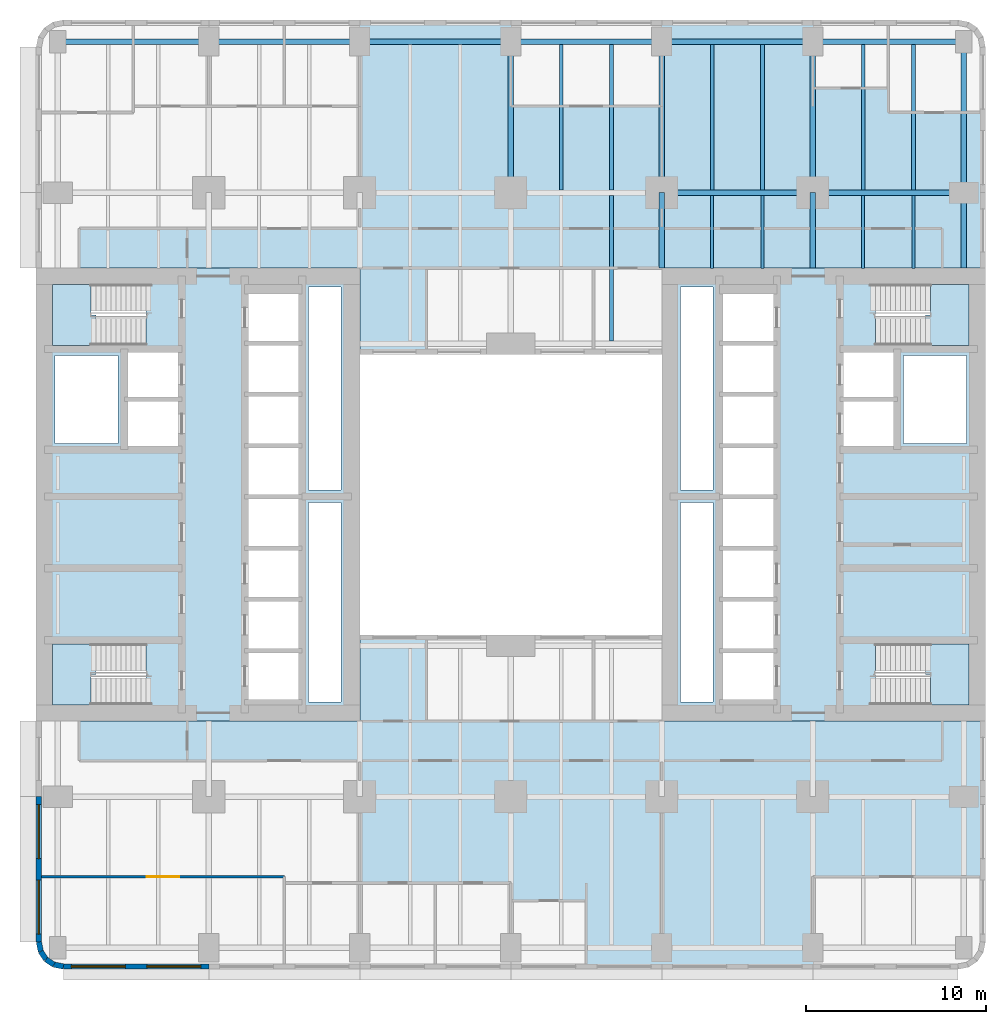
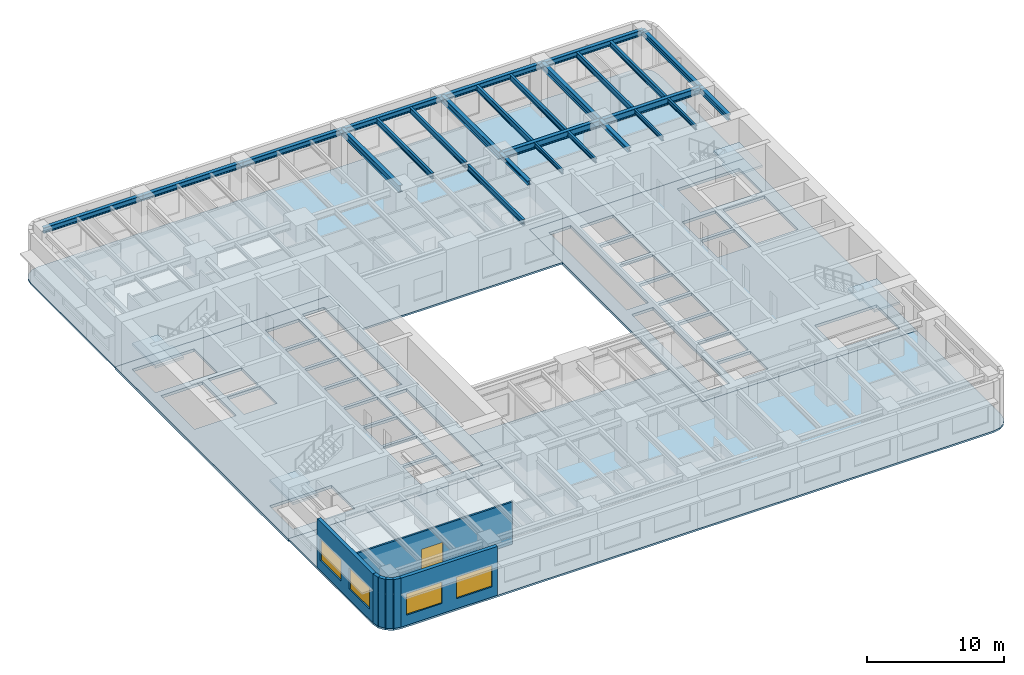
# One storey, part 2 of 12: 26 beams, 8 slabs, 7 walls, 4 windows, 1 door, 5 openings, 4 elements without a shape of their own.
"""IFC4 building model written with IfcOpenShell, lengths in metres."""

from ifc_helpers import new_model, si_unit, direction, frame, frame_2d, origin, origin_2d, place, context, subcontext, project, spatial, polyline, rectangle, i_section, outline, extrude, material, layer, layer_set, material_profile, profile_set, type_object, element, fill, aggregate, save


model = new_model("IFC4")

# Units and contexts
model_context = context("Model", 3, precision=1e-05, world=origin(), true_north=direction((0.0, 1.0)))
body_context = subcontext(model_context, "Body", "Model", "MODEL_VIEW")
ifc_project = project(units=[si_unit("LENGTHUNIT", "METRE"), si_unit("AREAUNIT", "SQUARE_METRE"), si_unit("VOLUMEUNIT", "CUBIC_METRE"), si_unit("PLANEANGLEUNIT", "RADIAN"), si_unit("MASSUNIT", "GRAM", prefix="KILO")], contexts=[model_context])

# Site, building, storey
site_placement = place(None, origin())
site = spatial("IfcSite", under=ifc_project, at=site_placement, CompositionType="ELEMENT")
building_placement = place(site_placement, origin())
building = spatial("IfcBuilding", under=site, at=building_placement, Name="Claustro Exchange Tower", CompositionType="ELEMENT")
storey_placement = place(building_placement, frame((0.0, 0.0, 81.89990234375)))
storey = spatial("IfcBuildingStorey", under=building, at=storey_placement, Name="L18", CompositionType="ELEMENT", Elevation=81.89990234375)

# Beams
ifc_material_1 = material(Name="Steel S355", Category="steel")
ifc_material_profile_1 = material_profile(ifc_material_1, i_section(OverallWidth=0.300048828125, OverallDepth=0.60009765625, WebThickness=0.015380859375, FlangeThickness=0.030029296875, FilletRadius=0.027099609375, at=origin_2d()), Name="HE 600 B")
ifc_profile_set_1 = profile_set([ifc_material_profile_1], Name="Steel S355")
beam_type_1 = type_object("IfcBeamType", Name="B1 HE 600 B floor girder", PredefinedType="BEAM", material=ifc_profile_set_1)
for number, where, z_axis, x_axis, name in (
    (1, (25.199951171875, 42.0, 4.0400390625), (0.0, 1.0, 0.0), (-1.0, 0.0, 0.0), "Beam B1 L19"),
    (2, (33.60009765625, 42.0, 4.0400390625), (0.0, 1.0, 0.0), (-1.0, 0.0, 0.0), "Beam B1 L19"),
    (3, (42.0, 42.0, 4.0400390625), (0.0, 1.0, 0.0), (-1.0, 0.0, 0.0), "Beam B1 L19"),
    (4, (33.60009765625, 42.0, 4.0400390625), (1.0, 0.0, 0.0), (0.0, 1.0, 0.0), "Beam B1 L19"),
    (5, (42.0, 42.0, 4.0400390625), (1.0, 0.0, 0.0), (0.0, 1.0, 0.0), "Beam B1 L19"),
):
    element("IfcBeam", number, at=place(storey_placement, frame(where, z_axis=z_axis, x_axis=x_axis)), inside=storey, type_object=beam_type_1, Name=name, PredefinedType="BEAM", context=body_context, shape_type="SweptSolid", body=[
        extrude(i_section(OverallWidth=0.300048828125, OverallDepth=0.60009765625, WebThickness=0.015380859375, FlangeThickness=0.030029296875, FilletRadius=0.027099609375, at=origin_2d()), origin(), (0.0, 0.0, 1.0), 8.39990234375),
    ])
ifc_material_2 = material(Name="Steel S355", Category="steel")
ifc_material_profile_2 = material_profile(ifc_material_2, i_section(OverallWidth=0.169921875, OverallDepth=0.360107421875, WebThickness=0.008056640625, FlangeThickness=0.0126953125, FilletRadius=0.01806640625, at=origin_2d()), Name="IPE 360")
ifc_profile_set_2 = profile_set([ifc_material_profile_2], Name="Steel S355")
beam_type_2 = type_object("IfcBeamType", Name="B16 IPE 360 short-span beam", PredefinedType="BEAM", material=ifc_profile_set_2)
for number, where, z_axis, x_axis, name in (
    (6, (36.39990234375, 37.7900390625, 4.16015625), (0.0, 1.0, 0.0), (-1.0, 0.0, 0.0), "Beam B16 L19"),
    (7, (39.199951171875, 37.7900390625, 4.16015625), (0.0, 1.0, 0.0), (-1.0, 0.0, 0.0), "Beam B16 L19"),
    (8, (44.800048828125, 37.7900390625, 4.16015625), (0.0, 1.0, 0.0), (-1.0, 0.0, 0.0), "Beam B16 L19"),
    (9, (47.60009765625, 37.7900390625, 4.16015625), (0.0, 1.0, 0.0), (-1.0, 0.0, 0.0), "Beam B16 L19"),
):
    element("IfcBeam", number, at=place(storey_placement, frame(where, z_axis=z_axis, x_axis=x_axis)), inside=storey, type_object=beam_type_2, Name=name, PredefinedType="BEAM", context=body_context, shape_type="SweptSolid", body=[
        extrude(i_section(OverallWidth=0.169921875, OverallDepth=0.360107421875, WebThickness=0.008056640625, FlangeThickness=0.0126953125, FilletRadius=0.01806640625, at=origin_2d()), origin(), (0.0, 0.0, 1.0), 4.06005859375),
    ])
ifc_material_3 = material(Name="Steel S355", Category="steel")
ifc_material_profile_3 = material_profile(ifc_material_3, i_section(OverallWidth=0.199951171875, OverallDepth=0.5, WebThickness=0.01025390625, FlangeThickness=0.01611328125, FilletRadius=0.02099609375, at=origin_2d()), Name="IPE 500")
ifc_profile_set_3 = profile_set([ifc_material_profile_3], Name="Steel S355")
beam_type_3 = type_object("IfcBeamType", Name="B2 IPE 500 secondary beam", PredefinedType="BEAM", material=ifc_profile_set_3)
for number, where, z_axis, x_axis, name in (
    (10, (30.800048828125, 33.75, 4.090087890625), (0.0, 1.0, 0.0), (-1.0, 0.0, 0.0), "Beam B2 L19"),
    (11, (28.0, 42.14990234375, 4.090087890625), (0.0, 1.0, 0.0), (-1.0, 0.0, 0.0), "Beam B2 L19"),
    (12, (30.800048828125, 42.14990234375, 4.090087890625), (0.0, 1.0, 0.0), (-1.0, 0.0, 0.0), "Beam B2 L19"),
    (13, (36.39990234375, 42.14990234375, 4.090087890625), (0.0, 1.0, 0.0), (-1.0, 0.0, 0.0), "Beam B2 L19"),
    (14, (39.199951171875, 42.14990234375, 4.090087890625), (0.0, 1.0, 0.0), (-1.0, 0.0, 0.0), "Beam B2 L19"),
    (15, (44.800048828125, 42.14990234375, 4.090087890625), (0.0, 1.0, 0.0), (-1.0, 0.0, 0.0), "Beam B2 L19"),
    (16, (47.60009765625, 42.14990234375, 4.090087890625), (0.0, 1.0, 0.0), (-1.0, 0.0, 0.0), "Beam B2 L19"),
):
    element("IfcBeam", number, at=place(storey_placement, frame(where, z_axis=z_axis, x_axis=x_axis)), inside=storey, type_object=beam_type_3, Name=name, PredefinedType="BEAM", context=body_context, shape_type="SweptSolid", body=[
        extrude(i_section(OverallWidth=0.199951171875, OverallDepth=0.5, WebThickness=0.01025390625, FlangeThickness=0.01611328125, FilletRadius=0.02099609375, at=origin_2d()), origin(), (0.0, 0.0, 1.0), 8.10009765625),
    ])
ifc_material_4 = material(Name="Steel S355", Category="steel")
ifc_material_profile_4 = material_profile(ifc_material_4, i_section(OverallWidth=0.300048828125, OverallDepth=0.360107421875, WebThickness=0.012451171875, FlangeThickness=0.0224609375, FilletRadius=0.027099609375, at=origin_2d()), Name="HE 360 B")
ifc_profile_set_4 = profile_set([ifc_material_profile_4], Name="Steel S355")
beam_type_4 = type_object("IfcBeamType", Name="B29 HE 360 B column to core link beam", PredefinedType="BEAM", material=ifc_profile_set_4)
for number, where, z_axis, x_axis, name in (
    (17, (33.60009765625, 37.800048828125, 4.16015625), (0.0, 1.0, 0.0), (-1.0, 0.0, 0.0), "Beam B29 L19"),
    (18, (42.0, 37.800048828125, 4.16015625), (0.0, 1.0, 0.0), (-1.0, 0.0, 0.0), "Beam B29 L19"),
):
    element("IfcBeam", number, at=place(storey_placement, frame(where, z_axis=z_axis, x_axis=x_axis)), inside=storey, type_object=beam_type_4, Name=name, PredefinedType="BEAM", context=body_context, shape_type="SweptSolid", body=[
        extrude(i_section(OverallWidth=0.300048828125, OverallDepth=0.360107421875, WebThickness=0.012451171875, FlangeThickness=0.0224609375, FilletRadius=0.027099609375, at=origin_2d()), origin(), (0.0, 0.0, 1.0), 4.199951171875),
    ])
ifc_material_5 = material(Name="Steel S355", Category="steel")
ifc_material_profile_5 = material_profile(ifc_material_5, i_section(OverallWidth=0.300048828125, OverallDepth=0.5, WebThickness=0.014404296875, FlangeThickness=0.028076171875, FilletRadius=0.027099609375, at=origin_2d()), Name="HE 500 B")
ifc_profile_set_5 = profile_set([ifc_material_profile_5], Name="Steel S355")
beam_type_5 = type_object("IfcBeamType", Name="B3 HE 500 B spandrel edge girder", PredefinedType="SPANDREL", material=ifc_profile_set_5)
beam_1_placement = place(storey_placement, frame((50.39990234375, 37.800048828125, 4.090087890625), z_axis=(0.0, 1.0, 0.0), x_axis=(-1.0, 0.0, 0.0)))
element("IfcBeam", 19, at=beam_1_placement, inside=storey, type_object=beam_type_5, Name="Beam B3 L19", PredefinedType="SPANDREL", context=body_context, shape_type="SweptSolid", body=[
    extrude(i_section(OverallWidth=0.300048828125, OverallDepth=0.5, WebThickness=0.014404296875, FlangeThickness=0.028076171875, FilletRadius=0.027099609375, at=origin_2d()), origin(), (0.0, 0.0, 1.0), 4.199951171875),
])
for number, where, z_axis, x_axis, name in (
    (20, (50.39990234375, 42.0, 4.090087890625), (0.0, 1.0, 0.0), (-1.0, 0.0, 0.0), "Beam B3 L19"),
    (21, (0.0, 50.39990234375, 4.090087890625), (1.0, 0.0, 0.0), (0.0, 1.0, 0.0), "Beam B3 L19"),
):
    element("IfcBeam", number, at=place(storey_placement, frame(where, z_axis=z_axis, x_axis=x_axis)), inside=storey, type_object=beam_type_5, Name=name, PredefinedType="SPANDREL", context=body_context, shape_type="SweptSolid", body=[
        extrude(i_section(OverallWidth=0.300048828125, OverallDepth=0.5, WebThickness=0.014404296875, FlangeThickness=0.028076171875, FilletRadius=0.027099609375, at=origin_2d()), origin(), (0.0, 0.0, 1.0), 8.39990234375),
    ])
beam_2_placement = place(storey_placement, frame((8.39990234375, 50.39990234375, 4.090087890625), z_axis=(1.0, 0.0, 0.0), x_axis=(0.0, 1.0, 0.0)))
element("IfcBeam", 22, at=beam_2_placement, inside=storey, type_object=beam_type_5, Name="Beam B3 L19", PredefinedType="SPANDREL", context=body_context, shape_type="SweptSolid", body=[
    extrude(i_section(OverallWidth=0.300048828125, OverallDepth=0.5, WebThickness=0.014404296875, FlangeThickness=0.028076171875, FilletRadius=0.027099609375, at=origin_2d()), origin(), (0.0, 0.0, 1.0), 8.400146484375),
])
beam_3_placement = place(storey_placement, frame((16.800048828125, 50.39990234375, 4.090087890625), z_axis=(1.0, 0.0, 0.0), x_axis=(0.0, 1.0, 0.0)))
element("IfcBeam", 23, at=beam_3_placement, inside=storey, type_object=beam_type_5, Name="Beam B3 L19", PredefinedType="SPANDREL", context=body_context, shape_type="SweptSolid", body=[
    extrude(i_section(OverallWidth=0.300048828125, OverallDepth=0.5, WebThickness=0.014404296875, FlangeThickness=0.028076171875, FilletRadius=0.027099609375, at=origin_2d()), origin(), (0.0, 0.0, 1.0), 8.39990234375),
])
beam_4_placement = place(storey_placement, frame((25.199951171875, 50.39990234375, 4.090087890625), z_axis=(1.0, 0.0, 0.0), x_axis=(0.0, 1.0, 0.0)))
element("IfcBeam", 24, at=beam_4_placement, inside=storey, type_object=beam_type_5, Name="Beam B3 L19", PredefinedType="SPANDREL", context=body_context, shape_type="SweptSolid", body=[
    extrude(i_section(OverallWidth=0.300048828125, OverallDepth=0.5, WebThickness=0.014404296875, FlangeThickness=0.028076171875, FilletRadius=0.027099609375, at=origin_2d()), origin(), (0.0, 0.0, 1.0), 8.400146484375),
])
for number, where, z_axis, x_axis, name in (
    (25, (33.60009765625, 50.39990234375, 4.090087890625), (1.0, 0.0, 0.0), (0.0, 1.0, 0.0), "Beam B3 L19"),
    (26, (42.0, 50.39990234375, 4.090087890625), (1.0, 0.0, 0.0), (0.0, 1.0, 0.0), "Beam B3 L19"),
):
    element("IfcBeam", number, at=place(storey_placement, frame(where, z_axis=z_axis, x_axis=x_axis)), inside=storey, type_object=beam_type_5, Name=name, PredefinedType="SPANDREL", context=body_context, shape_type="SweptSolid", body=[
        extrude(i_section(OverallWidth=0.300048828125, OverallDepth=0.5, WebThickness=0.014404296875, FlangeThickness=0.028076171875, FilletRadius=0.027099609375, at=origin_2d()), origin(), (0.0, 0.0, 1.0), 8.39990234375),
    ])

# Slabs
ifc_material_6 = material(Name="Concrete HA-50 (C50/60)", Category="concrete")
ifc_layer_1 = layer(ifc_material_6, 0.159912109375)
ifc_layer_set_1 = layer_set([ifc_layer_1], Name="Concrete HA-50 (C50/60)")
slab_type_1 = type_object("IfcSlabType", Name="S1 160 composite floor slab", PredefinedType="FLOOR", material=ifc_layer_set_1)
slab_1_placement = place(storey_placement, frame((0.0, 0.0, -0.159912109375)))
element("IfcSlab", 27, at=slab_1_placement, inside=storey, type_object=slab_type_1, Name="Floor slab S1 S L18", PredefinedType="FLOOR", context=body_context, shape_type="SweptSolid", body=[
    extrude(outline(polyline([(-0.27392578125, -1.085693359375), (0.300048828125, -1.199951171875), (50.10009765625, -1.199951171875), (50.674072265625, -1.085693359375), (51.16064453125, -0.7607421875), (51.48583984375, -0.27392578125), (51.60009765625, 0.300048828125), (51.60009765625, 12.60009765625), (33.60009765625, 12.60009765625), (33.60009765625, 17.39990234375), (16.800048828125, 17.39990234375), (16.800048828125, 12.60009765625), (-1.199951171875, 12.60009765625), (-1.199951171875, 0.300048828125), (-1.085693359375, -0.27392578125), (-0.7607421875, -0.7607421875), (-0.27392578125, -1.085693359375)])), origin(), (0.0, 0.0, 1.0), 0.159912109375),
])
slab_2_placement = place(storey_placement, frame((0.0, 0.0, -0.159912109375)))
element("IfcSlab", 28, at=slab_2_placement, inside=storey, type_object=slab_type_1, Name="Floor slab S1 N L18", PredefinedType="FLOOR", context=body_context, shape_type="SweptSolid", body=[
    extrude(outline(polyline([(16.800048828125, 37.800048828125), (16.800048828125, 33.0), (33.60009765625, 33.0), (33.60009765625, 37.800048828125), (51.60009765625, 37.800048828125), (51.60009765625, 50.10009765625), (51.48583984375, 50.674072265625), (51.16064453125, 51.16064453125), (50.674072265625, 51.48583984375), (50.10009765625, 51.60009765625), (0.300048828125, 51.60009765625), (-0.27392578125, 51.48583984375), (-0.7607421875, 51.16064453125), (-1.085693359375, 50.674072265625), (-1.199951171875, 50.10009765625), (-1.199951171875, 37.800048828125), (16.800048828125, 37.800048828125)])), origin(), (0.0, 0.0, 1.0), 0.159912109375),
])
ifc_material_7 = material(Name="Concrete HA-50 (C50/60)", Category="concrete")
ifc_layer_2 = layer(ifc_material_7, 0.25)
ifc_layer_set_2 = layer_set([ifc_layer_2], Name="Concrete HA-50 (C50/60)")
slab_type_2 = type_object("IfcSlabType", Name="S7 250 core floor slab", PredefinedType="FLOOR", material=ifc_layer_set_2)
slab_3_placement = place(storey_placement, frame((0.0, 0.0, -0.25)))
element("IfcSlab", 29, at=slab_3_placement, inside=storey, type_object=slab_type_2, Name="Core floor slab S7 W core L18", PredefinedType="FLOOR", context=body_context, shape_type="SweptSolid", body=[
    extrude(outline(polyline([(-1.199951171875, 12.60009765625), (16.800048828125, 12.60009765625), (16.800048828125, 37.800048828125), (-1.199951171875, 37.800048828125), (-1.199951171875, 12.60009765625)]), holes=[polyline([(15.75, 24.75), (15.75, 13.64990234375), (13.949951171875, 13.64990234375), (13.949951171875, 24.75), (15.75, 24.75)]), polyline([(15.75, 36.75), (15.75, 25.449951171875), (13.949951171875, 25.449951171875), (13.949951171875, 36.75), (15.75, 36.75)]), polyline([(10.60009765625, 16.39990234375), (13.39990234375, 16.39990234375), (13.39990234375, 13.800048828125), (10.60009765625, 13.800048828125), (10.60009765625, 16.39990234375)]), polyline([(13.39990234375, 19.25), (13.39990234375, 16.64990234375), (10.60009765625, 16.64990234375), (10.60009765625, 19.25), (13.39990234375, 19.25)]), polyline([(13.39990234375, 22.10009765625), (13.39990234375, 19.5), (10.60009765625, 19.5), (10.60009765625, 22.10009765625), (13.39990234375, 22.10009765625)]), polyline([(13.39990234375, 24.949951171875), (13.39990234375, 22.35009765625), (10.60009765625, 22.35009765625), (10.60009765625, 24.949951171875), (13.39990234375, 24.949951171875)]), polyline([(13.39990234375, 27.800048828125), (13.39990234375, 25.199951171875), (10.60009765625, 25.199951171875), (10.60009765625, 27.800048828125), (13.39990234375, 27.800048828125)]), polyline([(13.39990234375, 30.64990234375), (13.39990234375, 28.050048828125), (10.60009765625, 28.050048828125), (10.60009765625, 30.64990234375), (13.39990234375, 30.64990234375)]), polyline([(13.39990234375, 33.5), (13.39990234375, 30.89990234375), (10.60009765625, 30.89990234375), (10.60009765625, 33.5), (13.39990234375, 33.5)]), polyline([(13.39990234375, 36.35009765625), (13.39990234375, 33.75), (10.60009765625, 33.75), (10.60009765625, 36.35009765625), (13.39990234375, 36.35009765625)]), polyline([(6.699951171875, 30.375), (6.699951171875, 27.89990234375), (3.89990234375, 27.89990234375), (3.89990234375, 30.375), (6.699951171875, 30.375)]), polyline([(6.699951171875, 33.10009765625), (6.699951171875, 30.625), (3.89990234375, 30.625), (3.89990234375, 33.10009765625), (6.699951171875, 33.10009765625)]), polyline([(-0.300048828125, 15.199951171875), (-0.300048828125, 16.89990234375), (4.9150390625, 16.89990234375), (4.9150390625, 15.199951171875), (4.919921875, 15.199951171875), (4.919921875, 13.5), (-0.300048828125, 13.5), (-0.300048828125, 15.199951171875)]), polyline([(-0.300048828125, 36.89990234375), (4.919921875, 36.89990234375), (4.919921875, 35.199951171875), (4.9150390625, 35.199951171875), (4.9150390625, 33.5), (-0.300048828125, 33.5), (-0.300048828125, 35.199951171875), (-0.300048828125, 36.89990234375)]), polyline([(3.35009765625, 32.949951171875), (3.35009765625, 28.050048828125), (-0.14990234375, 28.050048828125), (-0.14990234375, 32.949951171875), (3.35009765625, 32.949951171875)])]), origin(), (0.0, 0.0, 1.0), 0.25),
])
slab_4_placement = place(storey_placement, frame((0.0, 0.0, -0.25)))
element("IfcSlab", 30, at=slab_4_placement, inside=storey, type_object=slab_type_2, Name="Core floor slab S7 E core L18", PredefinedType="FLOOR", context=body_context, shape_type="SweptSolid", body=[
    extrude(outline(polyline([(33.60009765625, 12.60009765625), (51.60009765625, 12.60009765625), (51.60009765625, 37.800048828125), (33.60009765625, 37.800048828125), (33.60009765625, 12.60009765625)]), holes=[polyline([(45.47998046875, 35.199951171875), (45.47998046875, 36.89990234375), (50.699951171875, 36.89990234375), (50.699951171875, 35.199951171875), (50.699951171875, 33.5), (45.485107421875, 33.5), (45.485107421875, 35.199951171875), (45.47998046875, 35.199951171875)]), polyline([(45.485107421875, 15.199951171875), (45.485107421875, 16.89990234375), (50.699951171875, 16.89990234375), (50.699951171875, 15.199951171875), (50.699951171875, 13.5), (45.47998046875, 13.5), (45.47998046875, 15.199951171875), (45.485107421875, 15.199951171875)]), polyline([(50.550048828125, 32.949951171875), (50.550048828125, 28.050048828125), (47.050048828125, 28.050048828125), (47.050048828125, 32.949951171875), (50.550048828125, 32.949951171875)]), polyline([(46.5, 30.375), (46.5, 27.89990234375), (43.699951171875, 27.89990234375), (43.699951171875, 30.375), (46.5, 30.375)]), polyline([(46.5, 33.10009765625), (46.5, 30.625), (43.699951171875, 30.625), (43.699951171875, 33.10009765625), (46.5, 33.10009765625)]), polyline([(37.0, 16.39990234375), (39.800048828125, 16.39990234375), (39.800048828125, 13.800048828125), (37.0, 13.800048828125), (37.0, 16.39990234375)]), polyline([(39.800048828125, 19.25), (39.800048828125, 16.64990234375), (37.0, 16.64990234375), (37.0, 19.25), (39.800048828125, 19.25)]), polyline([(39.800048828125, 22.10009765625), (39.800048828125, 19.5), (37.0, 19.5), (37.0, 22.10009765625), (39.800048828125, 22.10009765625)]), polyline([(39.800048828125, 24.949951171875), (39.800048828125, 22.35009765625), (37.0, 22.35009765625), (37.0, 24.949951171875), (39.800048828125, 24.949951171875)]), polyline([(39.800048828125, 27.800048828125), (39.800048828125, 25.199951171875), (37.0, 25.199951171875), (37.0, 27.800048828125), (39.800048828125, 27.800048828125)]), polyline([(39.800048828125, 30.64990234375), (39.800048828125, 28.050048828125), (37.0, 28.050048828125), (37.0, 30.64990234375), (39.800048828125, 30.64990234375)]), polyline([(39.800048828125, 33.5), (39.800048828125, 30.89990234375), (37.0, 30.89990234375), (37.0, 33.5), (39.800048828125, 33.5)]), polyline([(39.800048828125, 36.35009765625), (39.800048828125, 33.75), (37.0, 33.75), (37.0, 36.35009765625), (39.800048828125, 36.35009765625)]), polyline([(36.449951171875, 24.75), (36.449951171875, 13.64990234375), (34.64990234375, 13.64990234375), (34.64990234375, 24.75), (36.449951171875, 24.75)]), polyline([(36.449951171875, 36.75), (36.449951171875, 25.449951171875), (34.64990234375, 25.449951171875), (34.64990234375, 36.75), (36.449951171875, 36.75)])]), origin(), (0.0, 0.0, 1.0), 0.25),
])

# Stair, slab
ifc_material_8 = material(Name="Concrete HA-30 (C30/37), precast", Category="concrete")
stair_type = type_object("IfcStairType", Name="ST2 half-turn stair, 25 risers of 180", PredefinedType="HALF_TURN_STAIR", material=ifc_material_8)
stair_1_placement = place(storey_placement, origin())
stair_1 = element("IfcStair", 31, at=stair_1_placement, inside=storey, type_object=stair_type, Name="Stair STWA L18", PredefinedType="HALF_TURN_STAIR")
ifc_material_9 = material(Name="Concrete HA-30 (C30/37), precast", Category="concrete")
ifc_layer_3 = layer(ifc_material_9, 0.199951171875)
ifc_layer_set_3 = layer_set([ifc_layer_3], Name="Concrete HA-30 (C30/37), precast")
slab_type_3 = type_object("IfcSlabType", Name="S9 200 stair landing", PredefinedType="LANDING", material=ifc_layer_set_3)
slab_5_placement = place(storey_placement, frame((0.0, 0.0, 2.14013671875)))
slab_5 = element("IfcSlab", 32, at=slab_5_placement, type_object=slab_type_3, Name="STWA landing 1", PredefinedType="LANDING", context=body_context, shape_type="SweptSolid", body=[
    extrude(outline(polyline([(1.844970703125, 13.5), (-0.300048828125, 13.5), (-0.300048828125, 16.89990234375), (1.840087890625, 16.89990234375), (1.844970703125, 16.89990234375), (2.1201171875, 16.89990234375), (2.1201171875, 15.199951171875), (1.844970703125, 15.199951171875), (1.844970703125, 13.5)])), origin(), (0.0, 0.0, 1.0), 0.199951171875),
])
aggregate(stair_1, [slab_5])

stair_2_placement = place(storey_placement, origin())
stair_2 = element("IfcStair", 33, at=stair_2_placement, inside=storey, type_object=stair_type, Name="Stair STWB L18", PredefinedType="HALF_TURN_STAIR")
slab_6_placement = place(storey_placement, frame((0.0, 0.0, 2.14013671875)))
slab_6 = element("IfcSlab", 34, at=slab_6_placement, type_object=slab_type_3, Name="STWB landing 1", PredefinedType="LANDING", context=body_context, shape_type="SweptSolid", body=[
    extrude(outline(polyline([(2.1201171875, 35.199951171875), (2.1201171875, 33.5), (1.844970703125, 33.5), (1.840087890625, 33.5), (-0.300048828125, 33.5), (-0.300048828125, 36.89990234375), (1.844970703125, 36.89990234375), (1.844970703125, 35.199951171875), (2.1201171875, 35.199951171875)])), origin(), (0.0, 0.0, 1.0), 0.199951171875),
])
aggregate(stair_2, [slab_6])

stair_3_placement = place(storey_placement, origin())
stair_3 = element("IfcStair", 35, at=stair_3_placement, inside=storey, type_object=stair_type, Name="Stair STEA L18", PredefinedType="HALF_TURN_STAIR")
slab_7_placement = place(storey_placement, frame((0.0, 0.0, 2.14013671875)))
slab_7 = element("IfcSlab", 36, at=slab_7_placement, type_object=slab_type_3, Name="STEA landing 1", PredefinedType="LANDING", context=body_context, shape_type="SweptSolid", body=[
    extrude(outline(polyline([(50.699951171875, 16.89990234375), (50.699951171875, 13.5), (48.554931640625, 13.5), (48.554931640625, 15.199951171875), (48.280029296875, 15.199951171875), (48.280029296875, 16.89990234375), (48.554931640625, 16.89990234375), (48.56005859375, 16.89990234375), (50.699951171875, 16.89990234375)])), origin(), (0.0, 0.0, 1.0), 0.199951171875),
])
aggregate(stair_3, [slab_7])

stair_4_placement = place(storey_placement, origin())
stair_4 = element("IfcStair", 37, at=stair_4_placement, inside=storey, type_object=stair_type, Name="Stair STEB L18", PredefinedType="HALF_TURN_STAIR")
slab_8_placement = place(storey_placement, frame((0.0, 0.0, 2.14013671875)))
slab_8 = element("IfcSlab", 38, at=slab_8_placement, type_object=slab_type_3, Name="STEB landing 1", PredefinedType="LANDING", context=body_context, shape_type="SweptSolid", body=[
    extrude(outline(polyline([(48.280029296875, 33.5), (48.280029296875, 35.199951171875), (48.554931640625, 35.199951171875), (48.554931640625, 36.89990234375), (50.699951171875, 36.89990234375), (50.699951171875, 33.5), (48.56005859375, 33.5), (48.554931640625, 33.5), (48.280029296875, 33.5)])), origin(), (0.0, 0.0, 1.0), 0.199951171875),
])
aggregate(stair_4, [slab_8])

# Wall, opening, door
ifc_material_10 = material(Name="Gypsum board on steel studs", Category="steel")
ifc_layer_4 = layer(ifc_material_10, 0.14990234375)
ifc_layer_set_4 = layer_set([ifc_layer_4], Name="Gypsum board on steel studs")
wall_type_1 = type_object("IfcWallType", Name="P1 150 plasterboard partition", PredefinedType="PARTITIONING", material=ifc_layer_set_4)
wall_1_placement = place(storey_placement, frame((-0.902099609375, 3.949951171875, 0.0), z_axis=(0.0, 0.0, 1.0), x_axis=(1.0, 0.0, 0.0)))
wall_1 = element("IfcWall", 39, at=wall_1_placement, inside=storey, type_object=wall_type_1, Name="Partition P1 L18", PredefinedType="PARTITIONING", context=body_context, shape_type="SweptSolid", body=[
    extrude(rectangle(XDim=13.502197265625, YDim=0.14990234375, at=frame_2d((6.7509765625, 0.0))), origin(), (0.0, 0.0, 1.0), 3.739990234375),
])
opening_1_placement = place(wall_1_placement, frame((5.85205078125, 0.0, 0.0)))
opening_1 = element("IfcOpeningElement", 40, at=opening_1_placement, cuts=wall_1, Name="Opening D2", PredefinedType="OPENING", context=body_context, shape_type="SweptSolid", body=[
    extrude(rectangle(XDim=1.800048828125, YDim=2.199951171875, at=frame_2d((0.89990234375, 1.10009765625))), frame((0.0, 0.0849609375, 0.0), z_axis=(0.0, -1.0, 0.0), x_axis=(1.0, 0.0, 0.0)), (0.0, 0.0, 1.0), 0.169921875),
])
ifc_material_11 = material(Name="Timber door, oak veneer", Category="wood")
door_type = type_object("IfcDoorType", Name="D2 1800 x 2200 double door", OperationType="DOUBLE_DOOR_SINGLE_SWING", PredefinedType="DOOR", material=ifc_material_11)
door_placement = place(opening_1_placement, frame((1.800048828125, 0.0, 0.0), z_axis=(0.0, 0.0, 1.0), x_axis=(-1.0, 0.0, 0.0)))
door = element("IfcDoor", 41, at=door_placement, inside=storey, type_object=door_type, Name="Double door D2 L18", OperationType="DOUBLE_DOOR_SINGLE_SWING", OverallHeight=2.199951171875, OverallWidth=1.800048828125, PredefinedType="DOOR", context=body_context, shape_type="SweptSolid", body=[
    extrude(rectangle(XDim=1.800048828125, YDim=2.199951171875, at=frame_2d((0.89990234375, 1.10009765625))), frame((0.0, 0.02490234375, 0.0), z_axis=(0.0, -1.0, 0.0), x_axis=(1.0, 0.0, 0.0)), (0.0, 0.0, 1.0), 0.050048828125),
])
fill(opening_1, door)

# Wall, openings, windows
ifc_material_12 = material(Name="Concrete HA-40 (C40/50), precast, white cement, acid-etched", Category="concrete")
ifc_layer_5 = layer(ifc_material_12, 0.300048828125)
ifc_layer_set_5 = layer_set([ifc_layer_5], Name="Concrete HA-40 (C40/50), precast, white cement, acid-etched")
wall_type_2 = type_object("IfcWallType", Name="PC1 300 precast concrete pier panel", PredefinedType="SOLIDWALL", material=ifc_layer_set_5)
wall_2_placement = place(storey_placement, frame((8.39990234375, -1.050048828125, 0.0), z_axis=(0.0, 0.0, 1.0), x_axis=(-1.0, 0.0, 0.0)))
wall_2 = element("IfcWall", 42, at=wall_2_placement, inside=storey, type_object=wall_type_2, Name="Precast pier panel PC1 L18", PredefinedType="SOLIDWALL", context=body_context, shape_type="SweptSolid", body=[
    extrude(rectangle(XDim=8.085205078125, YDim=0.300048828125, at=frame_2d((4.04248046875, 0.0))), origin(), (0.0, 0.0, 1.0), 4.340087890625),
])
opening_2_placement = place(wall_2_placement, frame((0.442626953125, 0.0, 0.89990234375)))
opening_2 = element("IfcOpeningElement", 43, at=opening_2_placement, cuts=wall_2, Name="Opening W1", PredefinedType="OPENING", context=body_context, shape_type="SweptSolid", body=[
    extrude(rectangle(XDim=3.0, YDim=1.89990234375, at=frame_2d((1.5, 0.949951171875))), frame((0.0, 0.159912109375, 0.0), z_axis=(0.0, -1.0, 0.0), x_axis=(1.0, 0.0, 0.0)), (0.0, 0.0, 1.0), 0.320068359375),
])
opening_3_placement = place(wall_2_placement, frame((4.642578125, 0.0, 0.89990234375)))
opening_3 = element("IfcOpeningElement", 44, at=opening_3_placement, cuts=wall_2, Name="Opening W1", PredefinedType="OPENING", context=body_context, shape_type="SweptSolid", body=[
    extrude(rectangle(XDim=3.0, YDim=1.89990234375, at=frame_2d((1.5, 0.949951171875))), frame((0.0, 0.159912109375, 0.0), z_axis=(0.0, -1.0, 0.0), x_axis=(1.0, 0.0, 0.0)), (0.0, 0.0, 1.0), 0.320068359375),
])
ifc_material_13 = material(Name="Aluminium frame, clear double glazing", Category="aluminium")
window_type = type_object("IfcWindowType", Name="W1 3000 x 1900 window", PartitioningType="SINGLE_PANEL", PredefinedType="WINDOW", material=ifc_material_13)
window_1_placement = place(opening_2_placement, origin())
window_1 = element("IfcWindow", 45, at=window_1_placement, inside=storey, type_object=window_type, Name="Window W1 L18", OverallHeight=1.89990234375, OverallWidth=3.0, PartitioningType="SINGLE_PANEL", PredefinedType="WINDOW", context=body_context, shape_type="SweptSolid", body=[
    extrude(rectangle(XDim=3.0, YDim=1.89990234375, at=frame_2d((1.5, 0.949951171875))), frame((0.0, 0.030029296875, 0.0), z_axis=(0.0, -1.0, 0.0), x_axis=(1.0, 0.0, 0.0)), (0.0, 0.0, 1.0), 0.06005859375),
])
fill(opening_2, window_1)
window_2_placement = place(opening_3_placement, origin())
window_2 = element("IfcWindow", 46, at=window_2_placement, inside=storey, type_object=window_type, Name="Window W1 L18", OverallHeight=1.89990234375, OverallWidth=3.0, PartitioningType="SINGLE_PANEL", PredefinedType="WINDOW", context=body_context, shape_type="SweptSolid", body=[
    extrude(rectangle(XDim=3.0, YDim=1.89990234375, at=frame_2d((1.5, 0.949951171875))), frame((0.0, 0.030029296875, 0.0), z_axis=(0.0, -1.0, 0.0), x_axis=(1.0, 0.0, 0.0)), (0.0, 0.0, 1.0), 0.06005859375),
])
fill(opening_3, window_2)

# Walls
wall_3_placement = place(storey_placement, frame((0.314697265625, -1.050048828125, 0.0), z_axis=(0.0, 0.0, 1.0), x_axis=(-0.980788534345, 0.195073962632, 0.0)))
element("IfcWall", 47, at=wall_3_placement, inside=storey, type_object=wall_type_2, Name="Precast pier panel PC1 L18", PredefinedType="SOLIDWALL", context=body_context, shape_type="SweptSolid", body=[
    extrude(rectangle(XDim=0.540771484375, YDim=0.300048828125, at=frame_2d((0.2705078125, 0.0))), origin(), (0.0, 0.0, 1.0), 4.340087890625),
])
for number, where, z_axis, x_axis, name in (
    (48, (-0.215576171875, -0.944580078125, 0.0), (0.0, 0.0, 1.0), (-0.831478144188, 0.555557463938, 0.0), "Precast pier panel PC1 L18"),
    (49, (-0.652587890625, -0.652587890625, 0.0), (0.0, 0.0, 1.0), (-0.555557463938, 0.831478144188, 0.0), "Precast pier panel PC1 L18"),
):
    element("IfcWall", number, at=place(storey_placement, frame(where, z_axis=z_axis, x_axis=x_axis)), inside=storey, type_object=wall_type_2, Name=name, PredefinedType="SOLIDWALL", context=body_context, shape_type="SweptSolid", body=[
        extrude(rectangle(XDim=0.525634765625, YDim=0.300048828125, at=frame_2d((0.2626953125, 0.0))), origin(), (0.0, 0.0, 1.0), 4.340087890625),
    ])
wall_4_placement = place(storey_placement, frame((-0.944580078125, -0.215576171875, 0.0), z_axis=(0.0, 0.0, 1.0), x_axis=(-0.195073962632, 0.980788534345, 0.0)))
element("IfcWall", 50, at=wall_4_placement, inside=storey, type_object=wall_type_2, Name="Precast pier panel PC1 L18", PredefinedType="SOLIDWALL", context=body_context, shape_type="SweptSolid", body=[
    extrude(rectangle(XDim=0.540771484375, YDim=0.300048828125, at=frame_2d((0.2705078125, 0.0))), origin(), (0.0, 0.0, 1.0), 4.340087890625),
])

# Wall, openings, windows
wall_5_placement = place(storey_placement, frame((-1.050048828125, 0.314697265625, 0.0), z_axis=(0.0, 0.0, 1.0), x_axis=(0.0, 1.0, 0.0)))
wall_5 = element("IfcWall", 51, at=wall_5_placement, inside=storey, type_object=wall_type_2, Name="Precast pier panel PC1 L18", PredefinedType="SOLIDWALL", context=body_context, shape_type="SweptSolid", body=[
    extrude(rectangle(XDim=8.085205078125, YDim=0.300048828125, at=frame_2d((4.04248046875, 0.0))), origin(), (0.0, 0.0, 1.0), 4.340087890625),
])
opening_4_placement = place(wall_5_placement, frame((0.442626953125, 0.0, 0.89990234375)))
opening_4 = element("IfcOpeningElement", 52, at=opening_4_placement, cuts=wall_5, Name="Opening W1", PredefinedType="OPENING", context=body_context, shape_type="SweptSolid", body=[
    extrude(rectangle(XDim=3.0, YDim=1.89990234375, at=frame_2d((1.5, 0.949951171875))), frame((0.0, 0.159912109375, 0.0), z_axis=(0.0, -1.0, 0.0), x_axis=(1.0, 0.0, 0.0)), (0.0, 0.0, 1.0), 0.320068359375),
])
opening_5_placement = place(wall_5_placement, frame((4.642578125, 0.0, 0.89990234375)))
opening_5 = element("IfcOpeningElement", 53, at=opening_5_placement, cuts=wall_5, Name="Opening W1", PredefinedType="OPENING", context=body_context, shape_type="SweptSolid", body=[
    extrude(rectangle(XDim=3.0, YDim=1.89990234375, at=frame_2d((1.5, 0.949951171875))), frame((0.0, 0.159912109375, 0.0), z_axis=(0.0, -1.0, 0.0), x_axis=(1.0, 0.0, 0.0)), (0.0, 0.0, 1.0), 0.320068359375),
])
window_3_placement = place(opening_4_placement, origin())
window_3 = element("IfcWindow", 54, at=window_3_placement, inside=storey, type_object=window_type, Name="Window W1 L18", OverallHeight=1.89990234375, OverallWidth=3.0, PartitioningType="SINGLE_PANEL", PredefinedType="WINDOW", context=body_context, shape_type="SweptSolid", body=[
    extrude(rectangle(XDim=3.0, YDim=1.89990234375, at=frame_2d((1.5, 0.949951171875))), frame((0.0, 0.030029296875, 0.0), z_axis=(0.0, -1.0, 0.0), x_axis=(1.0, 0.0, 0.0)), (0.0, 0.0, 1.0), 0.06005859375),
])
fill(opening_4, window_3)
window_4_placement = place(opening_5_placement, origin())
window_4 = element("IfcWindow", 55, at=window_4_placement, inside=storey, type_object=window_type, Name="Window W1 L18", OverallHeight=1.89990234375, OverallWidth=3.0, PartitioningType="SINGLE_PANEL", PredefinedType="WINDOW", context=body_context, shape_type="SweptSolid", body=[
    extrude(rectangle(XDim=3.0, YDim=1.89990234375, at=frame_2d((1.5, 0.949951171875))), frame((0.0, 0.030029296875, 0.0), z_axis=(0.0, -1.0, 0.0), x_axis=(1.0, 0.0, 0.0)), (0.0, 0.0, 1.0), 0.06005859375),
])
fill(opening_5, window_4)

save(model, "model.ifc")
